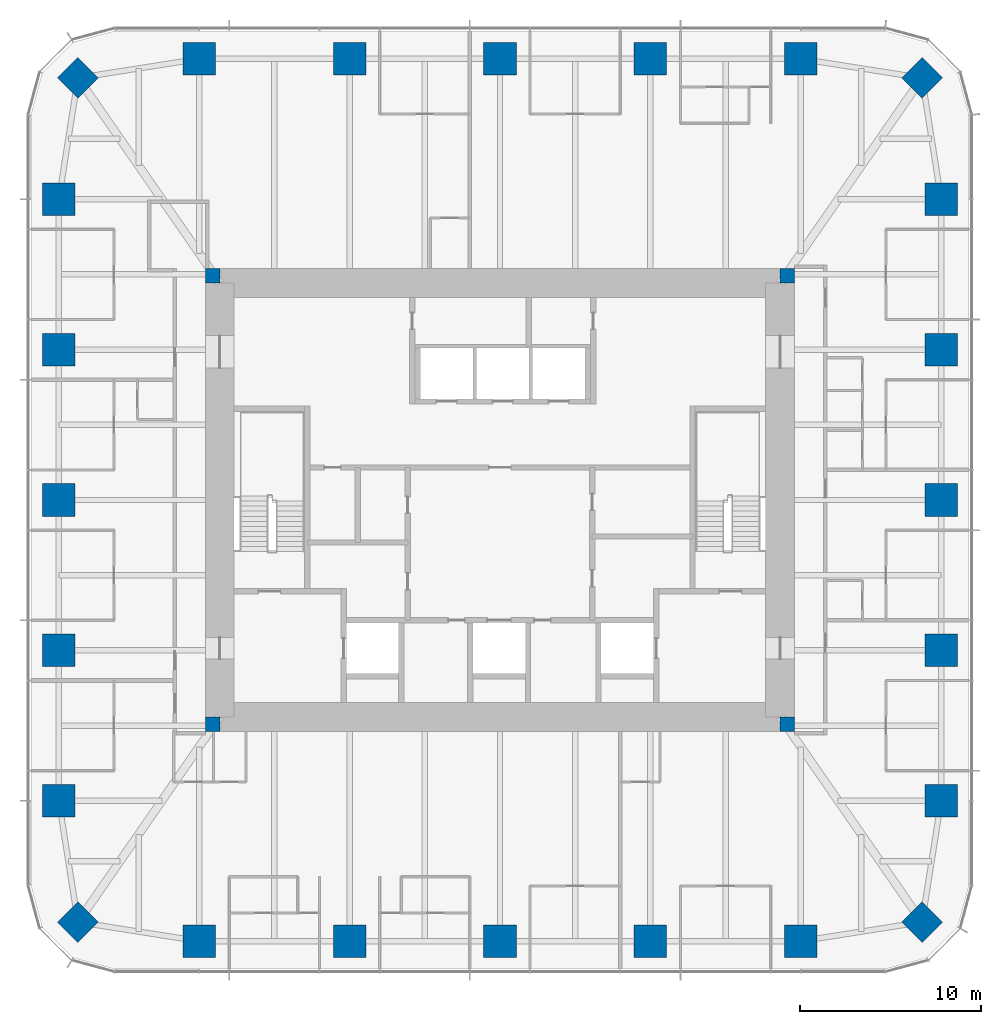
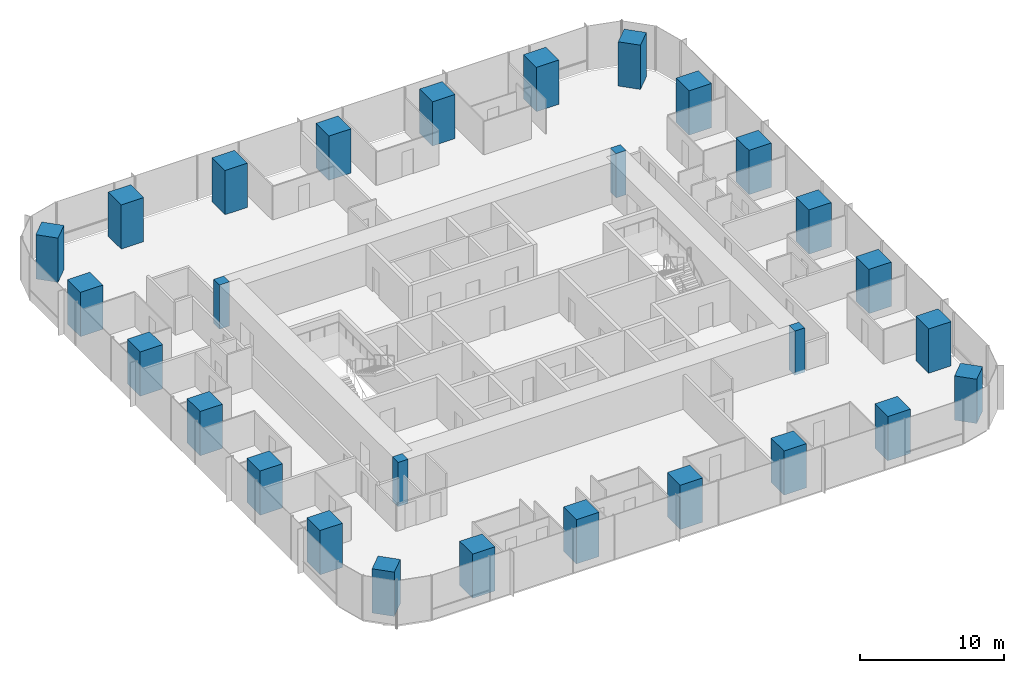
# One storey, part 1 of 12: 28 columns.
"""IFC4 building model written with IfcOpenShell, lengths in metres."""

from ifc_helpers import new_model, si_unit, direction, frame, origin, origin_2d, place, context, subcontext, project, spatial, rectangle, extrude, material, material_profile, profile_set, type_object, element, save


model = new_model("IFC4")

# Units and contexts
model_context = context("Model", 3, precision=1e-05, world=origin(), true_north=direction((0.0, 1.0)))
body_context = subcontext(model_context, "Body", "Model", "MODEL_VIEW")
ifc_project = project(units=[si_unit("LENGTHUNIT", "METRE"), si_unit("AREAUNIT", "SQUARE_METRE"), si_unit("VOLUMEUNIT", "CUBIC_METRE"), si_unit("PLANEANGLEUNIT", "RADIAN"), si_unit("MASSUNIT", "GRAM", prefix="KILO")], contexts=[model_context])

# Site, building, storey
site_placement = place(None, origin())
site = spatial("IfcSite", under=ifc_project, at=site_placement, CompositionType="ELEMENT")
building_placement = place(site_placement, origin())
building = spatial("IfcBuilding", under=site, at=building_placement, Name="Khuree Lantern Residences", CompositionType="ELEMENT")
storey_placement = place(building_placement, frame((0.0, 0.0, 233.25)))
storey = spatial("IfcBuildingStorey", under=building, at=storey_placement, Name="L58", CompositionType="ELEMENT", Elevation=233.25)

# Columns
ifc_material_1 = material(Name="Concrete C70/85", Category="concrete")
ifc_material_profile_1 = material_profile(ifc_material_1, rectangle(XDim=1.60009765625, YDim=1.60009765625, at=origin_2d()), Name="RC 1600X1600")
ifc_profile_set_1 = profile_set([ifc_material_profile_1], Name="Concrete C70/85")
column_type_1 = type_object("IfcColumnType", Name="CC1600A PERIMETER CORNER COLUMN RC 1600X1600", PredefinedType="COLUMN", material=ifc_profile_set_1)
for number, where, z_axis, x_axis, name in (
    (1, (23.345703125, 23.345703125, 0.0), (0.0, 0.0, 1.0), (0.707106781187, -0.707106781187, 0.0), "Perimeter column NE"),
    (2, (23.345703125, -23.345703125, 0.0), (0.0, 0.0, 1.0), (0.707106781187, 0.707106781187, 0.0), "Perimeter column SE"),
    (3, (-23.345703125, -23.345703125, 0.0), (0.0, 0.0, 1.0), (0.707106781187, -0.707106781187, 0.0), "Perimeter column SW"),
    (4, (-23.345703125, 23.345703125, 0.0), (0.0, 0.0, 1.0), (0.707106781187, 0.707106781187, 0.0), "Perimeter column NW"),
):
    element("IfcColumn", number, at=place(storey_placement, frame(where, z_axis=z_axis, x_axis=x_axis)), inside=storey, type_object=column_type_1, Name=name, PredefinedType="COLUMN", context=body_context, shape_type="SweptSolid", body=[
        extrude(rectangle(XDim=1.60009765625, YDim=1.60009765625, at=origin_2d()), origin(), (0.0, 0.0, 1.0), 3.75),
    ])
ifc_material_2 = material(Name="Concrete C50/60", Category="concrete")
ifc_material_profile_2 = material_profile(ifc_material_2, rectangle(XDim=0.800048828125, YDim=0.800048828125, at=origin_2d()), Name="RC 800X800")
ifc_profile_set_2 = profile_set([ifc_material_profile_2], Name="Concrete C50/60")
column_type_2 = type_object("IfcColumnType", Name="CP800-C50 CORE CORNER PIER C50 RC 800X800", PredefinedType="COLUMN", material=ifc_profile_set_2)
for number, where, z_axis, x_axis, name in (
    (5, (15.89990234375, 12.39990234375, -0.25), (0.0, 0.0, 1.0), (1.0, 0.0, 0.0), "Core corner pier NE"),
    (6, (-15.89990234375, 12.39990234375, -0.25), (0.0, 0.0, 1.0), (1.0, 0.0, 0.0), "Core corner pier NW"),
    (7, (-15.89990234375, -12.39990234375, -0.25), (0.0, 0.0, 1.0), (1.0, 0.0, 0.0), "Core corner pier SW"),
    (8, (15.89990234375, -12.39990234375, -0.25), (0.0, 0.0, 1.0), (1.0, 0.0, 0.0), "Core corner pier SE"),
):
    element("IfcColumn", number, at=place(storey_placement, frame(where, z_axis=z_axis, x_axis=x_axis)), inside=storey, type_object=column_type_2, Name=name, PredefinedType="COLUMN", context=body_context, shape_type="SweptSolid", body=[
        extrude(rectangle(XDim=0.800048828125, YDim=0.800048828125, at=origin_2d()), origin(), (0.0, 0.0, 1.0), 3.75),
    ])
ifc_material_profile_3 = material_profile(ifc_material_1, rectangle(XDim=1.800048828125, YDim=1.800048828125, at=origin_2d()), Name="RC 1800X1800")
ifc_profile_set_3 = profile_set([ifc_material_profile_3], Name="Concrete C70/85")
column_type_3 = type_object("IfcColumnType", Name="PC4 PERIMETER COLUMN RC 1800X1800", PredefinedType="COLUMN", material=ifc_profile_set_3)
for number, where, z_axis, x_axis, name in (
    (9, (-16.639892578125, 24.39990234375, 0.0), (0.0, 0.0, 1.0), (1.0, 0.0, 0.0), "Perimeter column N1"),
    (10, (-8.320068359375, 24.39990234375, 0.0), (0.0, 0.0, 1.0), (1.0, 0.0, 0.0), "Perimeter column N2"),
    (11, (0.0, 24.39990234375, 0.0), (0.0, 0.0, 1.0), (1.0, 0.0, 0.0), "Perimeter column N3"),
    (12, (8.320068359375, 24.39990234375, 0.0), (0.0, 0.0, 1.0), (1.0, 0.0, 0.0), "Perimeter column N4"),
    (13, (16.639892578125, 24.39990234375, 0.0), (0.0, 0.0, 1.0), (1.0, 0.0, 0.0), "Perimeter column N5"),
    (14, (24.39990234375, 16.639892578125, 0.0), (0.0, 0.0, 1.0), (0.0, 1.0, 0.0), "Perimeter column E1"),
    (15, (24.39990234375, 8.320068359375, 0.0), (0.0, 0.0, 1.0), (0.0, 1.0, 0.0), "Perimeter column E2"),
    (16, (24.39990234375, 0.0, 0.0), (0.0, 0.0, 1.0), (0.0, 1.0, 0.0), "Perimeter column E3"),
    (17, (24.39990234375, -8.320068359375, 0.0), (0.0, 0.0, 1.0), (0.0, 1.0, 0.0), "Perimeter column E4"),
    (18, (24.39990234375, -16.639892578125, 0.0), (0.0, 0.0, 1.0), (0.0, 1.0, 0.0), "Perimeter column E5"),
    (19, (16.639892578125, -24.39990234375, 0.0), (0.0, 0.0, 1.0), (1.0, 0.0, 0.0), "Perimeter column S1"),
    (20, (8.320068359375, -24.39990234375, 0.0), (0.0, 0.0, 1.0), (1.0, 0.0, 0.0), "Perimeter column S2"),
    (21, (0.0, -24.39990234375, 0.0), (0.0, 0.0, 1.0), (1.0, 0.0, 0.0), "Perimeter column S3"),
    (22, (-8.320068359375, -24.39990234375, 0.0), (0.0, 0.0, 1.0), (1.0, 0.0, 0.0), "Perimeter column S4"),
    (23, (-16.639892578125, -24.39990234375, 0.0), (0.0, 0.0, 1.0), (1.0, 0.0, 0.0), "Perimeter column S5"),
    (24, (-24.39990234375, -16.639892578125, 0.0), (0.0, 0.0, 1.0), (0.0, 1.0, 0.0), "Perimeter column W1"),
    (25, (-24.39990234375, -8.320068359375, 0.0), (0.0, 0.0, 1.0), (0.0, 1.0, 0.0), "Perimeter column W2"),
    (26, (-24.39990234375, 0.0, 0.0), (0.0, 0.0, 1.0), (0.0, 1.0, 0.0), "Perimeter column W3"),
    (27, (-24.39990234375, 8.320068359375, 0.0), (0.0, 0.0, 1.0), (0.0, 1.0, 0.0), "Perimeter column W4"),
    (28, (-24.39990234375, 16.639892578125, 0.0), (0.0, 0.0, 1.0), (0.0, 1.0, 0.0), "Perimeter column W5"),
):
    element("IfcColumn", number, at=place(storey_placement, frame(where, z_axis=z_axis, x_axis=x_axis)), inside=storey, type_object=column_type_3, Name=name, PredefinedType="COLUMN", context=body_context, shape_type="SweptSolid", body=[
        extrude(rectangle(XDim=1.800048828125, YDim=1.800048828125, at=origin_2d()), origin(), (0.0, 0.0, 1.0), 3.75),
    ])

save(model, "model.ifc")
